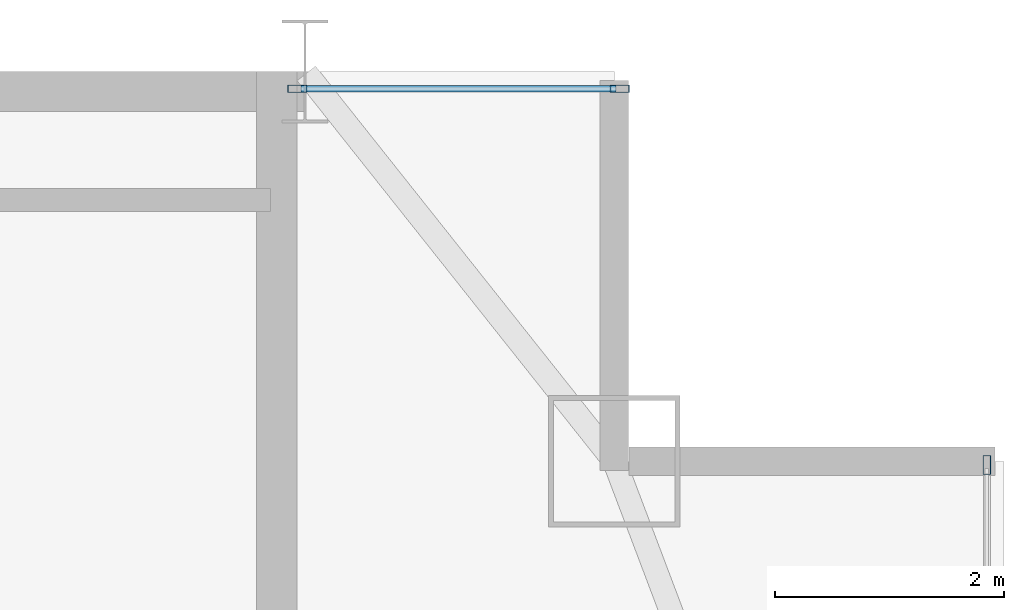
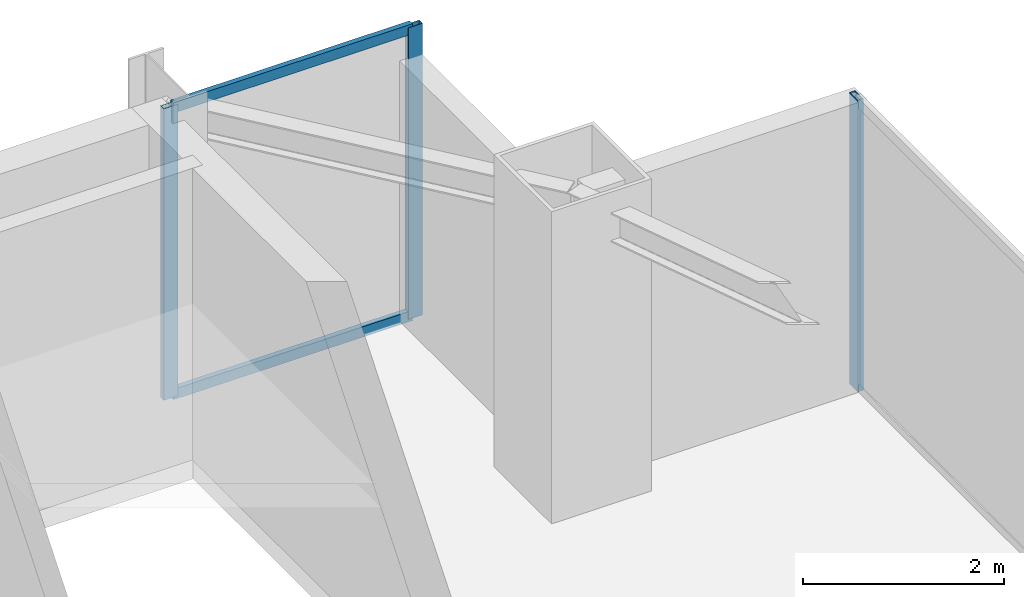
# One storey, part 20 of 27: 5 members, 2 elements without a shape of their own.
"""IFC4 building model written with IfcOpenShell, lengths in metres."""

from ifc_helpers import new_model, si_unit, direction, frame, origin, origin_2d, place, context, subcontext, project, spatial, hollow_rectangle, extrude, source, transform, mapped, material, layer, layer_set, material_profile, profile_set, type_object, type_shapes, element, aggregate, save


model = new_model("IFC4")

# Units and contexts
model_context = context("Model", 3, precision=1e-05, world=origin(), true_north=direction((0.0, 1.0)))
body_context = subcontext(model_context, "Body", "Model", "MODEL_VIEW")
ifc_project = project(units=[si_unit("LENGTHUNIT", "METRE"), si_unit("AREAUNIT", "SQUARE_METRE"), si_unit("VOLUMEUNIT", "CUBIC_METRE"), si_unit("PLANEANGLEUNIT", "RADIAN"), si_unit("MASSUNIT", "GRAM", prefix="KILO")], contexts=[model_context])

# Site, building, storey
site_placement = place(None, origin())
site = spatial("IfcSite", under=ifc_project, at=site_placement, CompositionType="ELEMENT")
building_placement = place(site_placement, origin())
building = spatial("IfcBuilding", under=site, at=building_placement, Name="Varnel Quay Broadcast Tower", CompositionType="ELEMENT")
storey_placement = place(building_placement, frame((0.0, 0.0, 243.199951171875)))
storey = spatial("IfcBuildingStorey", under=building, at=storey_placement, Name="L60", CompositionType="ELEMENT", Elevation=243.199951171875)

# Curtain wall, member
ifc_material = material(Name="Anodised Bronze Aluminium 6063-T6", Category="aluminium")
ifc_layer = layer(ifc_material, 0.18994140625, Name="Anodised Bronze Aluminium 6063-T6")
ifc_layer_set = layer_set([ifc_layer], Name="Anodised Bronze Aluminium 6063-T6")
curtain_wall_type = type_object("IfcCurtainWallType", Name="CW_UpperTower", PredefinedType="NOTDEFINED", material=ifc_layer_set)
curtain_wall_1_placement = place(storey_placement, origin())
curtain_wall_1 = element("IfcCurtainWall", 1, at=curtain_wall_1_placement, inside=storey, type_object=curtain_wall_type, Name="L60 East Unitised Curtain Wall", PredefinedType="NOTDEFINED")
ifc_material_profile_1 = material_profile(ifc_material, hollow_rectangle(XDim=0.06494140625, YDim=0.1650390625, WallThickness=0.00341796875, at=origin_2d()), Name="ALU65X165X3.5")
ifc_profile_set_1 = profile_set([ifc_material_profile_1], Name="Anodised Bronze Aluminium 6063-T6")
member_type_1 = type_object("IfcMemberType", Name="Mull_CWS-03", PredefinedType="MULLION", material=ifc_profile_set_1)
shared_shape_1 = source(origin(), body_context, "Body", "SweptSolid", [
    extrude(hollow_rectangle(XDim=0.06494140625, YDim=0.1650390625, WallThickness=0.00341796875, at=origin_2d()), origin(), (0.0, 0.0, 1.0), 3.550048828125),
])
type_shapes(member_type_1, [shared_shape_1])
member_1_placement = place(storey_placement, frame((58.35009765625, 43.367431640625, 0.0), z_axis=(0.0, 0.0, 1.0), x_axis=(-1.0, 0.0, 0.0)))
member_1 = element("IfcMember", 2, at=member_1_placement, type_object=member_type_1, Name="CWS-03 mullion 3", PredefinedType="MULLION", context=body_context, shape_type="MappedRepresentation", body=[
    mapped(shared_shape_1, transform((0.0, 0.0, 0.0), x_axis=(1.0, 0.0, 0.0), y_axis=(0.0, 1.0, 0.0), z_axis=(0.0, 0.0, 1.0), scale=1.0)),
])
aggregate(curtain_wall_1, [member_1])

# Curtain wall, members
curtain_wall_2_placement = place(storey_placement, origin())
curtain_wall_2 = element("IfcCurtainWall", 3, at=curtain_wall_2_placement, inside=storey, type_object=curtain_wall_type, Name="L60 NE Wing Curtain Wall", PredefinedType="NOTDEFINED")
member_2_placement = place(storey_placement, frame((52.33251953125, 46.64990234375, 0.0), z_axis=(0.0, 0.0, 1.0), x_axis=(0.0, 1.0, 0.0)))
member_2 = element("IfcMember", 4, at=member_2_placement, type_object=member_type_1, Name="CWS-03 mullion 1", PredefinedType="MULLION", context=body_context, shape_type="MappedRepresentation", body=[
    mapped(shared_shape_1, transform((0.0, 0.0, 0.0), x_axis=(1.0, 0.0, 0.0), y_axis=(0.0, 1.0, 0.0), z_axis=(0.0, 0.0, 1.0), scale=1.0)),
])
member_3_placement = place(storey_placement, frame((55.1474609375, 46.64990234375, 0.0), z_axis=(0.0, 0.0, 1.0), x_axis=(0.0, 1.0, 0.0)))
member_3 = element("IfcMember", 5, at=member_3_placement, type_object=member_type_1, Name="CWS-03 mullion 2", PredefinedType="MULLION", context=body_context, shape_type="MappedRepresentation", body=[
    mapped(shared_shape_1, transform((0.0, 0.0, 0.0), x_axis=(1.0, 0.0, 0.0), y_axis=(0.0, 1.0, 0.0), z_axis=(0.0, 0.0, 1.0), scale=1.0)),
])
ifc_material_profile_2 = material_profile(ifc_material, hollow_rectangle(XDim=0.06005859375, YDim=0.125, WallThickness=0.0029296875, at=origin_2d()), Name="ALU60X125X3")
ifc_profile_set_2 = profile_set([ifc_material_profile_2], Name="Anodised Bronze Aluminium 6063-T6")
member_type_2 = type_object("IfcMemberType", Name="Tran_CWS-03", PredefinedType="USERDEFINED", material=ifc_profile_set_2)
shared_shape_2 = source(origin(), body_context, "Body", "SweptSolid", [
    extrude(hollow_rectangle(XDim=0.06005859375, YDim=0.125, WallThickness=0.0029296875, at=origin_2d()), origin(), (0.0, 0.0, 1.0), 2.75),
])
type_shapes(member_type_2, [shared_shape_2])
member_4_placement = place(storey_placement, frame((52.364990234375, 46.64990234375, 0.030029296875), z_axis=(1.0, 0.0, 0.0), x_axis=(0.0, 1.0, 0.0)))
member_4 = element("IfcMember", 6, at=member_4_placement, type_object=member_type_2, Name="CWS-03 transom 1.1", ObjectType="TRANSOM", PredefinedType="USERDEFINED", context=body_context, shape_type="MappedRepresentation", body=[
    mapped(shared_shape_2, transform((0.0, 0.0, 0.0), x_axis=(1.0, 0.0, 0.0), y_axis=(0.0, 1.0, 0.0), z_axis=(0.0, 0.0, 1.0), scale=1.0)),
])
member_5_placement = place(storey_placement, frame((52.364990234375, 46.64990234375, 3.52001953125), z_axis=(1.0, 0.0, 0.0), x_axis=(0.0, 1.0, 0.0)))
member_5 = element("IfcMember", 7, at=member_5_placement, type_object=member_type_2, Name="CWS-03 transom 1.2", ObjectType="TRANSOM", PredefinedType="USERDEFINED", context=body_context, shape_type="MappedRepresentation", body=[
    mapped(shared_shape_2, transform((0.0, 0.0, 0.0), x_axis=(1.0, 0.0, 0.0), y_axis=(0.0, 1.0, 0.0), z_axis=(0.0, 0.0, 1.0), scale=1.0)),
])
aggregate(curtain_wall_2, [member_2, member_3, member_4, member_5])

save(model, "model.ifc")
